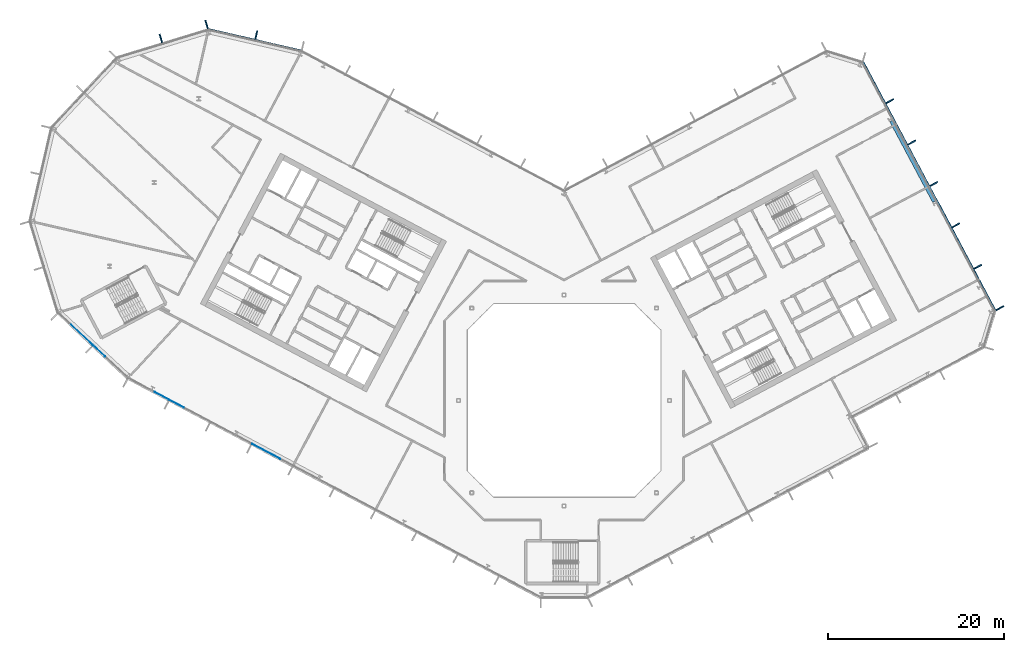
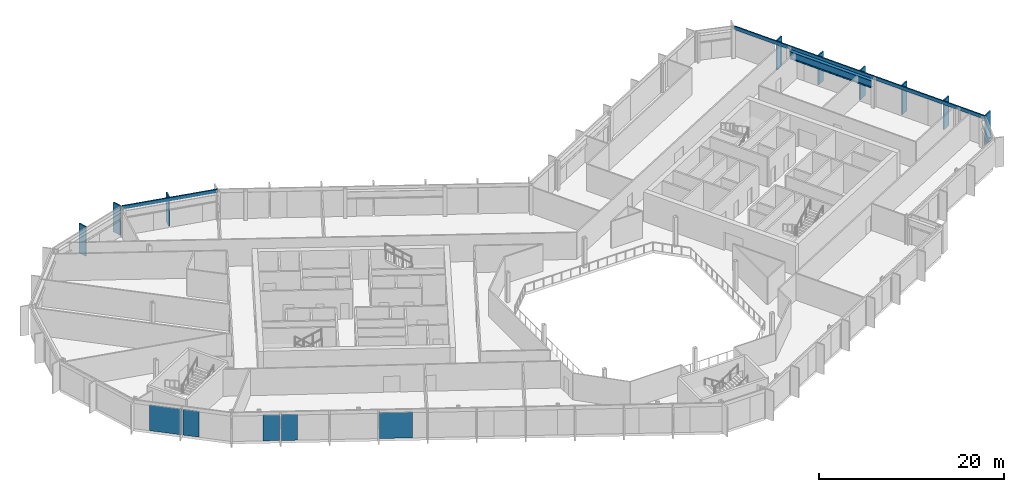
# One storey, part 10 of 26: 11 members, 5 plates, 1 beam, 5 elements without a shape of their own.
"""IFC4 building model written with IfcOpenShell, lengths in metres."""

from ifc_helpers import new_model, si_unit, direction, frame, origin, origin_2d, place, context, subcontext, project, spatial, rectangle, i_section, extrude, material, layer, layer_set, material_profile, profile_set, type_object, element, aggregate, save


model = new_model("IFC4")

# Units and contexts
model_context = context("Model", 3, precision=1e-05, world=origin(), true_north=direction((0.0, 1.0)))
body_context = subcontext(model_context, "Body", "Model", "MODEL_VIEW")
ifc_project = project(units=[si_unit("LENGTHUNIT", "METRE"), si_unit("AREAUNIT", "SQUARE_METRE"), si_unit("VOLUMEUNIT", "CUBIC_METRE"), si_unit("PLANEANGLEUNIT", "RADIAN"), si_unit("MASSUNIT", "GRAM", prefix="KILO")], contexts=[model_context])

# Site, building, storey
site_placement = place(None, origin())
site = spatial("IfcSite", under=ifc_project, at=site_placement, CompositionType="ELEMENT")
building_placement = place(site_placement, origin())
building = spatial("IfcBuilding", under=site, at=building_placement, Name="Cormorant Relay Tower", CompositionType="ELEMENT")
storey_placement = place(building_placement, frame((0.0, 0.0, 213.0)))
storey = spatial("IfcBuildingStorey", under=building, at=storey_placement, Name="L46", CompositionType="ELEMENT", Elevation=213.0)

# Curtain wall, members
ifc_material_1 = material(Name="Aluminium 6063-T6 anodised bronze", Category="aluminium")
ifc_layer_1 = layer(ifc_material_1, 0.199951171875)
ifc_layer_set_1 = layer_set([ifc_layer_1], Name="CW1 unitised bronze curtain wall with vertical fins")
curtain_wall_type = type_object("IfcCurtainWallType", Name="CW1 unitised bronze curtain wall with vertical fins", PredefinedType="NOTDEFINED", material=ifc_layer_set_1)
curtain_wall_1_placement = place(storey_placement, origin())
curtain_wall_1 = element("IfcCurtainWall", 1, at=curtain_wall_1_placement, inside=storey, type_object=curtain_wall_type, Name="CW1 curtain wall 6", PredefinedType="NOTDEFINED")
ifc_material_2 = material(Name="Aluminium 6063-T6 anodised bronze", Category="aluminium")
ifc_material_profile_1 = material_profile(ifc_material_2, rectangle(XDim=0.14990234375, YDim=1.0, at=origin_2d()), Name="AL 150x1000")
ifc_profile_set_1 = profile_set([ifc_material_profile_1], Name="Aluminium 6063-T6 anodised bronze")
member_type_1 = type_object("IfcMemberType", Name="CW1 bronze fin mullion 150 x 1000", PredefinedType="MULLION", material=ifc_profile_set_1)
member_1_placement = place(storey_placement, frame((49.572021484375, 10.501953125, 0.0), z_axis=(0.0, 0.0, 1.0), x_axis=(-0.469471562786, 0.882947592859, 0.0)))
member_1 = element("IfcMember", 2, at=member_1_placement, type_object=member_type_1, Name="CW1 fin 6.1", PredefinedType="MULLION", context=body_context, shape_type="SweptSolid", body=[
    extrude(rectangle(XDim=0.14990234375, YDim=1.0, at=origin_2d()), origin(), (0.0, 0.0, 1.0), 3.89990234375),
])
member_2_placement = place(storey_placement, frame((47.068359375, 15.211181640625, 0.0), z_axis=(0.0, 0.0, 1.0), x_axis=(-0.469471562786, 0.882947592859, 0.0)))
member_2 = element("IfcMember", 3, at=member_2_placement, type_object=member_type_1, Name="CW1 fin 6.2", PredefinedType="MULLION", context=body_context, shape_type="SweptSolid", body=[
    extrude(rectangle(XDim=0.14990234375, YDim=1.0, at=origin_2d()), origin(), (0.0, 0.0, 1.0), 3.89990234375),
])
member_3_placement = place(storey_placement, frame((44.564453125, 19.920166015625, 0.0), z_axis=(0.0, 0.0, 1.0), x_axis=(-0.469471562786, 0.882947592859, 0.0)))
member_3 = element("IfcMember", 4, at=member_3_placement, type_object=member_type_1, Name="CW1 fin 6.3", PredefinedType="MULLION", context=body_context, shape_type="SweptSolid", body=[
    extrude(rectangle(XDim=0.14990234375, YDim=1.0, at=origin_2d()), origin(), (0.0, 0.0, 1.0), 3.89990234375),
])
member_4_placement = place(storey_placement, frame((42.060546875, 24.629150390625, 0.0), z_axis=(0.0, 0.0, 1.0), x_axis=(-0.469471562786, 0.882947592859, 0.0)))
member_4 = element("IfcMember", 5, at=member_4_placement, type_object=member_type_1, Name="CW1 fin 6.4", PredefinedType="MULLION", context=body_context, shape_type="SweptSolid", body=[
    extrude(rectangle(XDim=0.14990234375, YDim=1.0, at=origin_2d()), origin(), (0.0, 0.0, 1.0), 3.89990234375),
])
member_5_placement = place(storey_placement, frame((39.556884765625, 29.338134765625, 0.0), z_axis=(0.0, 0.0, 1.0), x_axis=(-0.469471562786, 0.882947592859, 0.0)))
member_5 = element("IfcMember", 6, at=member_5_placement, type_object=member_type_1, Name="CW1 fin 6.5", PredefinedType="MULLION", context=body_context, shape_type="SweptSolid", body=[
    extrude(rectangle(XDim=0.14990234375, YDim=1.0, at=origin_2d()), origin(), (0.0, 0.0, 1.0), 3.89990234375),
])
member_6_placement = place(storey_placement, frame((37.052978515625, 34.04736328125, 0.0), z_axis=(0.0, 0.0, 1.0), x_axis=(-0.469471562786, 0.882947592859, 0.0)))
member_6 = element("IfcMember", 7, at=member_6_placement, type_object=member_type_1, Name="CW1 fin 6.6", PredefinedType="MULLION", context=body_context, shape_type="SweptSolid", body=[
    extrude(rectangle(XDim=0.14990234375, YDim=1.0, at=origin_2d()), origin(), (0.0, 0.0, 1.0), 3.89990234375),
])

# Curtain wall, member
curtain_wall_2_placement = place(storey_placement, origin())
curtain_wall_2 = element("IfcCurtainWall", 8, at=curtain_wall_2_placement, inside=storey, type_object=curtain_wall_type, Name="CW1 curtain wall 10", PredefinedType="NOTDEFINED")
member_7_placement = place(storey_placement, frame((-35.01220703125, 41.57275390625, 0.0), z_axis=(0.0, 0.0, 1.0), x_axis=(-0.974370064785, 0.224951054344, 0.0)))
member_7 = element("IfcMember", 9, at=member_7_placement, type_object=member_type_1, Name="CW1 fin 10.2", PredefinedType="MULLION", context=body_context, shape_type="SweptSolid", body=[
    extrude(rectangle(XDim=0.14990234375, YDim=1.0, at=origin_2d()), origin(), (0.0, 0.0, 1.0), 3.89990234375),
])

# Curtain wall, members
curtain_wall_3_placement = place(storey_placement, origin())
curtain_wall_3 = element("IfcCurtainWall", 10, at=curtain_wall_3_placement, inside=storey, type_object=curtain_wall_type, Name="CW1 curtain wall 11", PredefinedType="NOTDEFINED")
member_8_placement = place(storey_placement, frame((-40.670166015625, 42.78271484375, 0.0), z_axis=(0.0, 0.0, 1.0), x_axis=(-0.956304755963, -0.292371704723, 0.0)))
member_8 = element("IfcMember", 11, at=member_8_placement, type_object=member_type_1, Name="CW1 fin 11.1", PredefinedType="MULLION", context=body_context, shape_type="SweptSolid", body=[
    extrude(rectangle(XDim=0.14990234375, YDim=1.0, at=origin_2d()), origin(), (0.0, 0.0, 1.0), 3.89990234375),
])
member_9_placement = place(storey_placement, frame((-45.867919921875, 41.193603515625, 0.0), z_axis=(0.0, 0.0, 1.0), x_axis=(-0.956304755963, -0.292371704723, 0.0)))
member_9 = element("IfcMember", 12, at=member_9_placement, type_object=member_type_1, Name="CW1 fin 11.2", PredefinedType="MULLION", context=body_context, shape_type="SweptSolid", body=[
    extrude(rectangle(XDim=0.14990234375, YDim=1.0, at=origin_2d()), origin(), (0.0, 0.0, 1.0), 3.89990234375),
])
aggregate(curtain_wall_3, [member_8, member_9])

# Member
ifc_material_3 = material(Name="Aluminium 6063-T6 anodised bronze", Category="aluminium")
ifc_material_profile_2 = material_profile(ifc_material_3, rectangle(XDim=0.159912109375, YDim=0.449951171875, at=origin_2d()), Name="AL 160x450")
ifc_profile_set_2 = profile_set([ifc_material_profile_2], Name="Aluminium 6063-T6 anodised bronze")
member_type_2 = type_object("IfcMemberType", Name="CW1 bronze transom 160 x 450", PredefinedType="USERDEFINED", material=ifc_profile_set_2)
member_10_placement = place(storey_placement, frame((49.06005859375, 10.229736328125, 3.675048828125), z_axis=(-0.46947036835, 0.882948227951, 0.0), x_axis=(-0.882948227951, -0.46947036835, 0.0)))
member_10 = element("IfcMember", 13, at=member_10_placement, type_object=member_type_2, Name="CW1 transom 6", ObjectType="TRANSOM", PredefinedType="USERDEFINED", context=body_context, shape_type="SweptSolid", body=[
    extrude(rectangle(XDim=0.159912109375, YDim=0.449951171875, at=origin_2d()), origin(), (0.0, 0.0, 1.0), 31.999755859375),
])

aggregate(curtain_wall_1, [member_1, member_2, member_3, member_4, member_5, member_6, member_10])

member_11_placement = place(storey_placement, frame((-29.8466796875, 39.784912109375, 3.675048828125), z_axis=(-0.974365070969, 0.224972683844, 0.0), x_axis=(-0.224972683844, -0.974365070969, 0.0)))
member_11 = element("IfcMember", 14, at=member_11_placement, type_object=member_type_2, Name="CW1 transom 10", ObjectType="TRANSOM", PredefinedType="USERDEFINED", context=body_context, shape_type="SweptSolid", body=[
    extrude(rectangle(XDim=0.159912109375, YDim=0.449951171875, at=origin_2d()), origin(), (0.0, 0.0, 1.0), 10.870361328125),
])

aggregate(curtain_wall_2, [member_7, member_11])

# Beam
ifc_material_4 = material(Name="Steel ASTM A992 (Fy 345 MPa)", Category="steel")
ifc_material_profile_3 = material_profile(ifc_material_4, i_section(OverallWidth=0.4013671875, OverallDepth=0.990478515625, WebThickness=0.0166015625, FlangeThickness=0.031005859375, FilletRadius=0.030029296875, at=origin_2d()), Name="W1000x320")
ifc_profile_set_3 = profile_set([ifc_material_profile_3], Name="Steel ASTM A992 (Fy 345 MPa)")
beam_type = type_object("IfcBeamType", Name="Spandrel W1000x320", PredefinedType="SPANDREL", material=ifc_profile_set_3)
beam_placement = place(storey_placement, frame((42.109619140625, 22.61865234375, 3.044677734375), z_axis=(-0.469476269233, 0.882945090381, 0.0), x_axis=(-0.882945090381, -0.469476269233, 0.0)))
element("IfcBeam", 15, at=beam_placement, inside=storey, type_object=beam_type, Name="Spandrel beam L46-006", PredefinedType="SPANDREL", context=body_context, shape_type="SweptSolid", body=[
    extrude(i_section(OverallWidth=0.4013671875, OverallDepth=0.990478515625, WebThickness=0.0166015625, FlangeThickness=0.031005859375, FilletRadius=0.030029296875, at=origin_2d()), origin(), (0.0, 0.0, 1.0), 10.396484375),
])

# Curtain wall, plate
curtain_wall_4_placement = place(storey_placement, origin())
curtain_wall_4 = element("IfcCurtainWall", 16, at=curtain_wall_4_placement, inside=storey, type_object=curtain_wall_type, Name="CW1 curtain wall 15", PredefinedType="NOTDEFINED")
ifc_material_5 = material(Name="Tinted laminated glass", Category="glass")
ifc_layer_2 = layer(ifc_material_5, 0.0400390625)
ifc_layer_set_2 = layer_set([ifc_layer_2], Name="CW1 tinted vision panel 1800 module")
plate_type_1 = type_object("IfcPlateType", Name="CW1 tinted vision panel 1800 module", PredefinedType="CURTAIN_PANEL", material=ifc_layer_set_2)
plate_1_placement = place(storey_placement, frame((-52.8671875, 5.611572265625, 0.0), z_axis=(0.0, 0.0, 1.0), x_axis=(0.731353701619, -0.681998360062, 0.0)))
plate_1 = element("IfcPlate", 17, at=plate_1_placement, type_object=plate_type_1, Name="CW1 panel V02", PredefinedType="CURTAIN_PANEL", context=body_context, shape_type="SweptSolid", body=[
    extrude(rectangle(XDim=1.800048828125, YDim=0.0400390625, at=origin_2d()), origin(), (0.0, 0.0, 1.0), 3.449951171875),
])

# Curtain wall, plates
curtain_wall_5_placement = place(storey_placement, origin())
curtain_wall_5 = element("IfcCurtainWall", 18, at=curtain_wall_5_placement, inside=storey, type_object=curtain_wall_type, Name="CW1 curtain wall 16", PredefinedType="NOTDEFINED")
plate_2_placement = place(storey_placement, frame((-45.767578125, 0.5283203125, 0.0), z_axis=(0.0, 0.0, 1.0), x_axis=(0.882947592859, -0.469471562786, 0.0)))
plate_2 = element("IfcPlate", 19, at=plate_2_placement, type_object=plate_type_1, Name="CW1 panel V01", PredefinedType="CURTAIN_PANEL", context=body_context, shape_type="SweptSolid", body=[
    extrude(rectangle(XDim=1.800048828125, YDim=0.0400390625, at=origin_2d()), origin(), (0.0, 0.0, 1.0), 3.449951171875),
])
plate_3_placement = place(storey_placement, frame((-44.0458984375, -0.38720703125, 0.0), z_axis=(0.0, 0.0, 1.0), x_axis=(0.882947592859, -0.469471562786, 0.0)))
plate_3 = element("IfcPlate", 20, at=plate_3_placement, type_object=plate_type_1, Name="CW1 panel V02", PredefinedType="CURTAIN_PANEL", context=body_context, shape_type="SweptSolid", body=[
    extrude(rectangle(XDim=1.800048828125, YDim=0.0400390625, at=origin_2d()), origin(), (0.0, 0.0, 1.0), 3.449951171875),
])

# Plate
ifc_material_6 = material(Name="Tinted laminated glass", Category="glass")
ifc_layer_3 = layer(ifc_material_6, 0.0400390625)
ifc_layer_set_3 = layer_set([ifc_layer_3], Name="CW1 tinted vision panel 3600 module")
plate_type_2 = type_object("IfcPlateType", Name="CW1 tinted vision panel 3600 module", PredefinedType="CURTAIN_PANEL", material=ifc_layer_set_3)
plate_4_placement = place(storey_placement, frame((-54.951416015625, 7.55517578125, 0.0), z_axis=(0.0, 0.0, 1.0), x_axis=(0.731353701619, -0.681998360062, 0.0)))
plate_4 = element("IfcPlate", 21, at=plate_4_placement, type_object=plate_type_2, Name="CW1 panel V01", PredefinedType="CURTAIN_PANEL", context=body_context, shape_type="SweptSolid", body=[
    extrude(rectangle(XDim=3.60009765625, YDim=0.0400390625, at=origin_2d()), origin(), (0.0, 0.0, 1.0), 3.449951171875),
])

aggregate(curtain_wall_4, [plate_4, plate_1])

plate_5_placement = place(storey_placement, frame((-33.862548828125, -5.801513671875, 0.0), z_axis=(0.0, 0.0, 1.0), x_axis=(0.882947592859, -0.469471562786, 0.0)))
plate_5 = element("IfcPlate", 22, at=plate_5_placement, type_object=plate_type_2, Name="CW1 panel V04", PredefinedType="CURTAIN_PANEL", context=body_context, shape_type="SweptSolid", body=[
    extrude(rectangle(XDim=3.60009765625, YDim=0.0400390625, at=origin_2d()), origin(), (0.0, 0.0, 1.0), 3.449951171875),
])

aggregate(curtain_wall_5, [plate_2, plate_3, plate_5])

save(model, "model.ifc")
